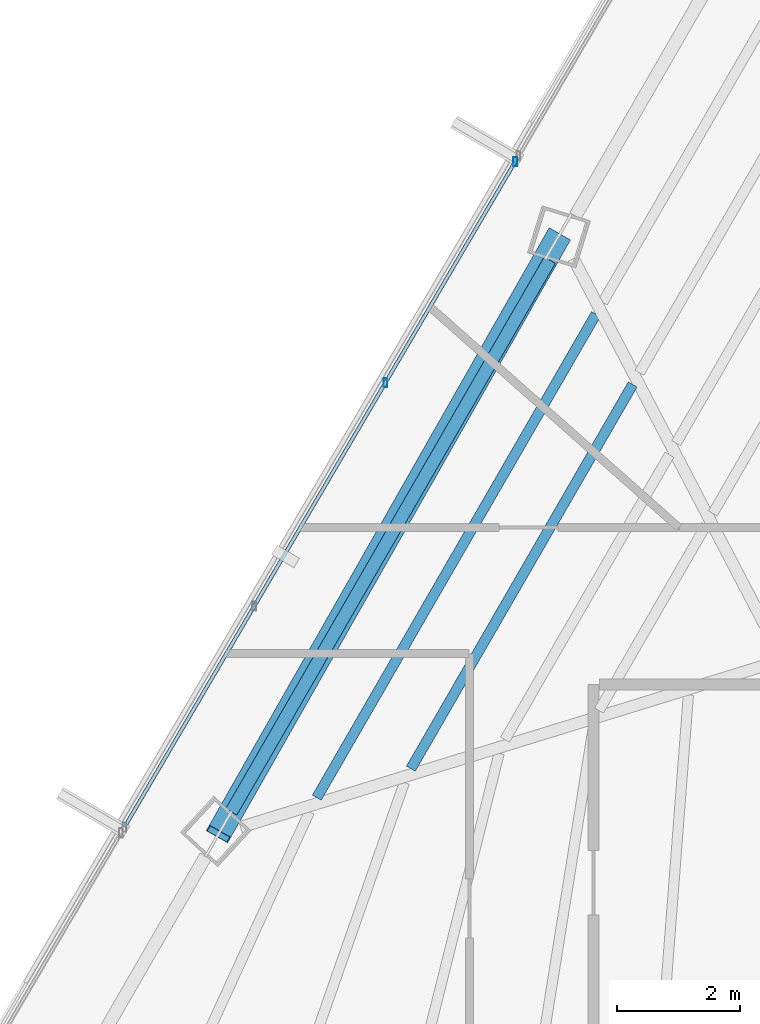
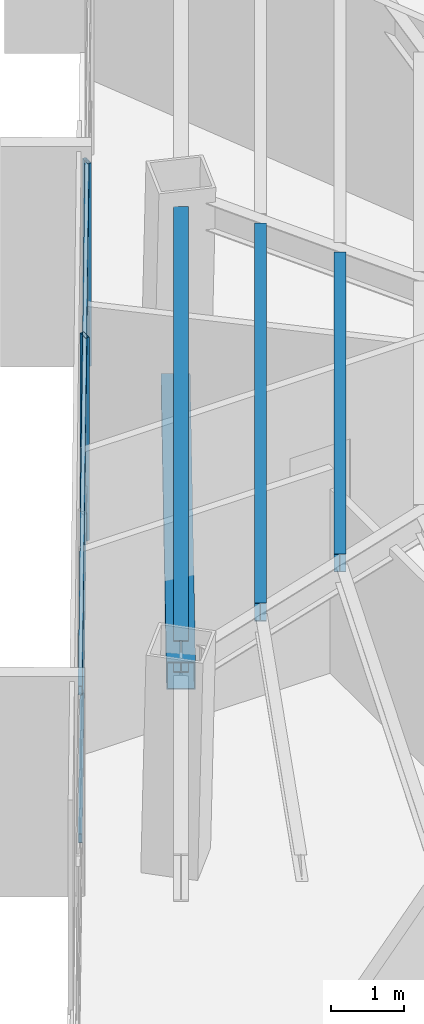
# One storey, part 16 of 42: 5 members, 3 beams, 1 element without a shape of its own.
"""IFC4 building model written with IfcOpenShell, lengths in metres."""

from ifc_helpers import new_model, si_unit, direction, frame, origin, origin_2d, place, context, subcontext, project, spatial, hollow_rectangle, i_section, extrude, source, transform, mapped, material, material_profile, profile_set, type_object, type_shapes, element, aggregate, save


model = new_model("IFC4")

# Units and contexts
model_context = context("Model", 3, precision=1e-05, world=origin(), true_north=direction((0.0, 1.0)))
body_context = subcontext(model_context, "Body", "Model", "MODEL_VIEW")
ifc_project = project(units=[si_unit("LENGTHUNIT", "METRE"), si_unit("AREAUNIT", "SQUARE_METRE"), si_unit("VOLUMEUNIT", "CUBIC_METRE"), si_unit("PLANEANGLEUNIT", "RADIAN"), si_unit("MASSUNIT", "GRAM", prefix="KILO")], contexts=[model_context])

# Site, building, storey
site_placement = place(None, origin())
site = spatial("IfcSite", under=ifc_project, at=site_placement, CompositionType="ELEMENT")
building_placement = place(site_placement, origin())
building = spatial("IfcBuilding", under=site, at=building_placement, Name="Caelisora Broadcast Tower", CompositionType="ELEMENT")
storey_placement = place(building_placement, frame((0.0, 0.0, 184.050048828125)))
storey = spatial("IfcBuildingStorey", under=building, at=storey_placement, Name="L48", CompositionType="ELEMENT", Elevation=184.050048828125)

# Beams
ifc_material_1 = material(Name="Steel Grade 350 (AS/NZS 3679.1)", Category="steel")
ifc_material_profile_1 = material_profile(ifc_material_1, i_section(OverallWidth=0.208984375, OverallDepth=0.532958984375, WebThickness=0.01025390625, FlangeThickness=0.015625, at=origin_2d()), Name="Steel Grade 350 (AS/NZS 3679.1)")
ifc_profile_set_1 = profile_set([ifc_material_profile_1], Name="Steel Grade 350 (AS/NZS 3679.1)")
beam_type_1 = type_object("IfcBeamType", Name="PG05", PredefinedType="BEAM", material=ifc_profile_set_1)
shared_shape_1 = source(origin(), body_context, "Body", "SweptSolid", [
    extrude(i_section(OverallWidth=0.208984375, OverallDepth=0.532958984375, WebThickness=0.01025390625, FlangeThickness=0.015625, at=origin_2d()), origin(), (0.0, 0.0, 1.0), 10.360107421875),
])
type_shapes(beam_type_1, [shared_shape_1])
beam_1_placement = place(storey_placement, frame((26.708740234375, 36.50048828125, 3.133544921875), z_axis=(-0.500006673782, -0.86602155064, 0.0), x_axis=(0.86602155064, -0.500006673782, 0.0)))
element("IfcBeam", 1, at=beam_1_placement, inside=storey, type_object=beam_type_1, Name="L48 beam PG05", PredefinedType="BEAM", context=body_context, shape_type="MappedRepresentation", body=[
    mapped(shared_shape_1, transform((0.0, 0.0, 0.0), scale=1.0)),
])
ifc_material_profile_2 = material_profile(ifc_material_1, i_section(OverallWidth=0.166015625, OverallDepth=0.30712890625, WebThickness=0.006591796875, FlangeThickness=0.01171875, at=origin_2d()), Name="Steel Grade 350 (AS/NZS 3679.1)")
ifc_profile_set_2 = profile_set([ifc_material_profile_2], Name="Steel Grade 350 (AS/NZS 3679.1)")
beam_type_2 = type_object("IfcBeamType", Name="SB03", PredefinedType="JOIST", material=ifc_profile_set_2)
shared_shape_2 = source(origin(), body_context, "Body", "SweptSolid", [
    extrude(i_section(OverallWidth=0.166015625, OverallDepth=0.30712890625, WebThickness=0.006591796875, FlangeThickness=0.01171875, at=origin_2d()), origin(), (0.0, 0.0, 1.0), 7.214111328125),
])
beam_2_placement = place(storey_placement, frame((28.05615234375, 34.478515625, 3.246337890625), z_axis=(-0.500015396624, -0.866016514357, 0.0), x_axis=(0.866016514357, -0.500015396624, 0.0)))
element("IfcBeam", 2, at=beam_2_placement, inside=storey, type_object=beam_type_2, Name="L48 beam SB03", PredefinedType="JOIST", context=body_context, shape_type="MappedRepresentation", body=[
    mapped(shared_shape_2, transform((0.0, 0.0, 0.0), scale=1.0)),
])
shared_shape_3 = source(origin(), body_context, "Body", "SweptSolid", [
    extrude(i_section(OverallWidth=0.166015625, OverallDepth=0.30712890625, WebThickness=0.006591796875, FlangeThickness=0.01171875, at=origin_2d()), origin(), (0.0, 0.0, 1.0), 9.07958984375),
])
type_shapes(beam_type_2, [shared_shape_2, shared_shape_3])
beam_3_placement = place(storey_placement, frame((27.458984375, 35.6220703125, 3.246337890625), z_axis=(-0.500005644317, -0.866022145012, 0.0), x_axis=(0.866022145012, -0.500005644317, 0.0)))
element("IfcBeam", 3, at=beam_3_placement, inside=storey, type_object=beam_type_2, Name="L48 beam SB03", PredefinedType="JOIST", context=body_context, shape_type="MappedRepresentation", body=[
    mapped(shared_shape_3, transform((0.0, 0.0, 0.0), scale=1.0)),
])

# Member
ifc_material_2 = material(Name="Steel Grade 450 (AS/NZS 1163 C450L0)", Category="steel")
ifc_material_profile_3 = material_profile(ifc_material_2, hollow_rectangle(XDim=0.39990234375, YDim=0.39990234375, WallThickness=0.01611328125, at=origin_2d()), Name="Steel Grade 450 (AS/NZS 1163 C450L0)")
ifc_profile_set_3 = profile_set([ifc_material_profile_3], Name="Steel Grade 450 (AS/NZS 1163 C450L0)")
member_type_1 = type_object("IfcMemberType", Name="BR04", PredefinedType="BRACE", material=ifc_profile_set_3)
shared_shape_4 = source(origin(), body_context, "Body", "SweptSolid", [
    extrude(hollow_rectangle(XDim=0.39990234375, YDim=0.39990234375, WallThickness=0.01611328125, at=origin_2d()), origin(), (0.0, 0.0, 1.0), 11.57177734375),
])
type_shapes(member_type_1, [shared_shape_4])
member_1_placement = place(storey_placement, frame((26.845947265625, 36.8828125, 0.099853515625), z_axis=(-0.47748475797, -0.839522511892, 0.259249412599), x_axis=(0.869241525975, -0.494387671287, 0.0)))
element("IfcMember", 4, at=member_1_placement, inside=storey, type_object=member_type_1, Name="L48 perimeter brace BR04", PredefinedType="BRACE", context=body_context, shape_type="MappedRepresentation", body=[
    mapped(shared_shape_4, transform((0.0, 0.0, 0.0), scale=1.0)),
])

# Curtain wall, members
ifc_material_3 = material(Name="Unitised Aluminium Insulated Shadow-Box Spandrel Curtain Wall", Category="aluminium")
curtain_wall_type = type_object("IfcCurtainWallType", Name="CW-SP2", PredefinedType="NOTDEFINED", material=ifc_material_3)
curtain_wall_placement = place(storey_placement, origin())
curtain_wall = element("IfcCurtainWall", 5, at=curtain_wall_placement, inside=storey, type_object=curtain_wall_type, Name="L48 curtain wall CW-SP2", PredefinedType="NOTDEFINED")
ifc_material_4 = material(Name="Aluminium 6063-T6 Anodised Terracotta Bronze", Category="aluminium")
ifc_material_profile_4 = material_profile(ifc_material_4, hollow_rectangle(XDim=0.06005859375, YDim=0.14990234375, WallThickness=0.00341796875, at=origin_2d()), Name="Aluminium 6063-T6 Anodised Terracotta Bronze")
ifc_profile_set_4 = profile_set([ifc_material_profile_4], Name="Aluminium 6063-T6 Anodised Terracotta Bronze")
member_type_2 = type_object("IfcMemberType", Name="CWM-03", PredefinedType="MULLION", material=ifc_profile_set_4)
shared_shape_5 = source(origin(), body_context, "Body", "SweptSolid", [
    extrude(hollow_rectangle(XDim=0.06005859375, YDim=0.14990234375, WallThickness=0.00341796875, at=origin_2d()), origin(), (0.0, 0.0, 1.0), 3.39990234375),
])
type_shapes(member_type_2, [shared_shape_5])
member_2_placement = place(storey_placement, frame((24.035400390625, 34.50732421875, 0.0), z_axis=(0.0, 0.0, 1.0), x_axis=(1.0, 0.0, 0.0)))
member_2 = element("IfcMember", 6, at=member_2_placement, type_object=member_type_2, Name="L48-CW-B10 mullion #2", PredefinedType="MULLION", context=body_context, shape_type="MappedRepresentation", body=[
    mapped(shared_shape_5, transform((0.0, 0.0, 0.0), scale=1.0)),
])
member_3_placement = place(storey_placement, frame((26.14501953125, 38.100341796875, 0.0), z_axis=(0.0, 0.0, 1.0), x_axis=(1.0, 0.0, 0.0)))
member_3 = element("IfcMember", 7, at=member_3_placement, type_object=member_type_2, Name="L48-CW-B10 mullion #3", PredefinedType="MULLION", context=body_context, shape_type="MappedRepresentation", body=[
    mapped(shared_shape_5, transform((0.0, 0.0, 0.0), scale=1.0)),
])
ifc_material_profile_5 = material_profile(ifc_material_4, hollow_rectangle(XDim=0.06005859375, YDim=0.14990234375, WallThickness=0.00341796875, at=origin_2d()), Name="Aluminium 6063-T6 Anodised Terracotta Bronze")
ifc_profile_set_5 = profile_set([ifc_material_profile_5], Name="Aluminium 6063-T6 Anodised Terracotta Bronze")
member_type_3 = type_object("IfcMemberType", Name="CWT-02", PredefinedType="USERDEFINED", material=ifc_profile_set_5)
shared_shape_6 = source(origin(), body_context, "Body", "SweptSolid", [
    extrude(hollow_rectangle(XDim=0.06005859375, YDim=0.14990234375, WallThickness=0.00341796875, at=origin_2d()), origin(), (0.0, 0.0, 1.0), 12.549560546875),
])
type_shapes(member_type_3, [shared_shape_6])
member_4_placement = place(storey_placement, frame((19.791015625, 27.2783203125, 0.849853515625), z_axis=(0.506316004106, 0.862348017906, 0.0), x_axis=(-0.862348017906, 0.506316004106, 0.0)))
member_4 = element("IfcMember", 8, at=member_4_placement, type_object=member_type_3, Name="L48-CW-B10 transom #1", ObjectType="TRANSOM", PredefinedType="USERDEFINED", context=body_context, shape_type="MappedRepresentation", body=[
    mapped(shared_shape_6, transform((0.0, 0.0, 0.0), scale=1.0)),
])
member_5_placement = place(storey_placement, frame((19.791015625, 27.2783203125, 3.320068359375), z_axis=(0.506316004106, 0.862348017906, 0.0), x_axis=(-0.862348017906, 0.506316004106, 0.0)))
member_5 = element("IfcMember", 9, at=member_5_placement, type_object=member_type_3, Name="L48-CW-B10 transom #2", ObjectType="TRANSOM", PredefinedType="USERDEFINED", context=body_context, shape_type="MappedRepresentation", body=[
    mapped(shared_shape_6, transform((0.0, 0.0, 0.0), scale=1.0)),
])
aggregate(curtain_wall, [member_2, member_3, member_4, member_5])

save(model, "model.ifc")
